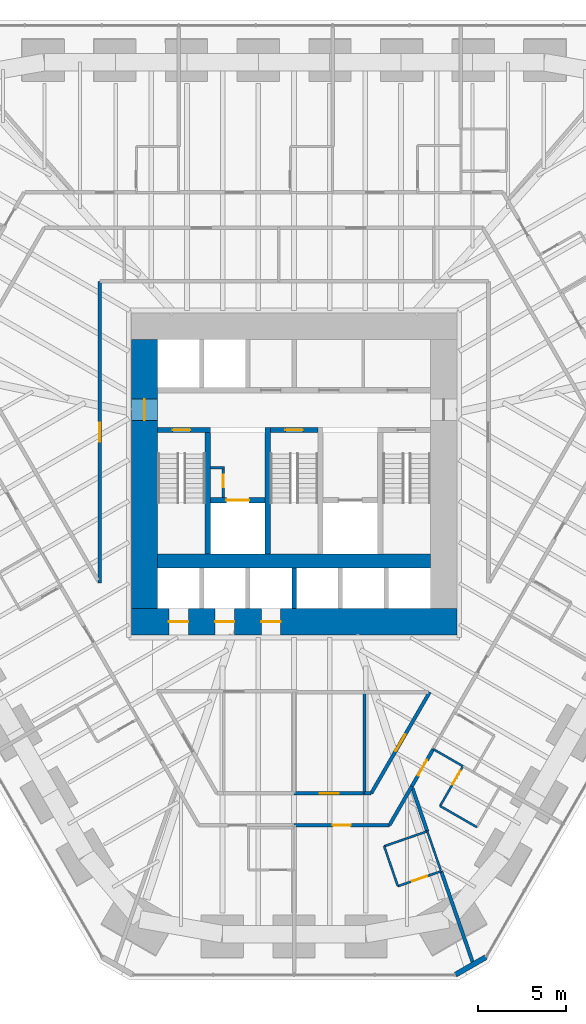
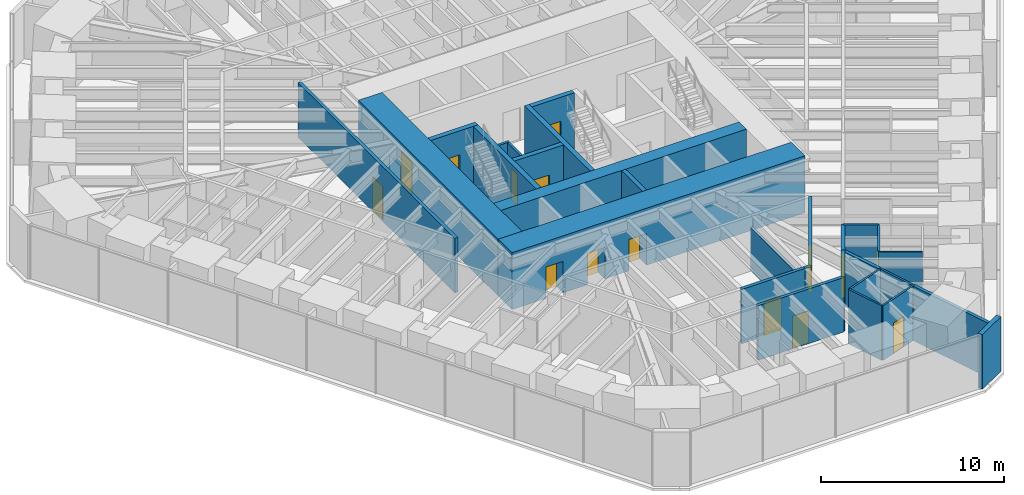
# One storey, part 12 of 17: 29 walls, 15 doors, 15 openings.
"""IFC4 building model written with IfcOpenShell, lengths in metres."""

import ifcopenshell
import ifcopenshell.guid

model = None  # the IFC model being written
_history = None  # IfcOwnerHistory: only IFC2X3 demands one
_inside = {}  # id of a spatial element -> (the spatial element, [elements in it])
_under = {}  # id of a project, library or spatial element -> (it, [spatial elements below it])
_declared = {}  # id of a project -> (the project, [libraries it declares])
_typed = {}  # id of a type object -> (the type object, [elements of that type])
_made_of = {}  # id of a material, layer set ... -> (it, [elements and type objects made of it])


def new_model(schema):
    """Start an empty IFC model of exactly this schema.

    Asked for "IFC4X3", IfcOpenShell would pick the latest addendum, in which some entities
    have other attributes; the version numbers below select the first issue.
    IFC2X3 requires an IfcOwnerHistory on every rooted entity: one is made here for all.
    """
    global model, _history
    if schema == "IFC4X3":
        model = ifcopenshell.file(schema_version=(4, 3, 0, 0))
    else:
        model = ifcopenshell.file(schema=schema)
    _inside.clear()
    _under.clear()
    _declared.clear()
    _typed.clear()
    _made_of.clear()
    _history = None
    if model.schema == "IFC2X3":
        org = make("IfcOrganization", Name="unknown")
        user = make(
            "IfcPersonAndOrganization",
            ThePerson=make("IfcPerson", FamilyName="unknown"),
            TheOrganization=org,
        )
        app = make(
            "IfcApplication",
            ApplicationDeveloper=org,
            Version="unknown",
            ApplicationFullName="unknown",
            ApplicationIdentifier="unknown",
        )
        _history = make(
            "IfcOwnerHistory",
            OwningUser=user,
            OwningApplication=app,
            ChangeAction="ADDED",
            CreationDate=0,
        )
    return model


def make(cls, **values):
    """One entity of the class cls with the attributes given. An attribute that is None is left unset."""
    return model.create_entity(
        cls, **{name: value for name, value in values.items() if value is not None}
    )


def rooted(cls, **values):
    """An entity with a GlobalId (a new one), such as an element, a storey or a relation."""
    return make(cls, GlobalId=ifcopenshell.guid.new(), OwnerHistory=_history, **values)


def si_unit(unit_type, name, prefix=None):
    """IfcSIUnit, for example si_unit("LENGTHUNIT", "METRE", prefix="MILLI")."""
    return make("IfcSIUnit", UnitType=unit_type, Prefix=prefix, Name=name)


def assignment(units):
    """IfcUnitAssignment: the units of a project."""
    return None if units is None else make("IfcUnitAssignment", Units=units)


def point(xyz):
    """IfcCartesianPoint."""
    return None if xyz is None else make("IfcCartesianPoint", Coordinates=xyz)


def direction(xyz):
    """IfcDirection."""
    return None if xyz is None else make("IfcDirection", DirectionRatios=xyz)


def frame(location, z_axis=None, x_axis=None):
    """IfcAxis2Placement3D, a coordinate frame: its origin and axes. An axis left out is left unset."""
    return make(
        "IfcAxis2Placement3D",
        Location=point(location),
        Axis=direction(z_axis),
        RefDirection=direction(x_axis),
    )


def frame_2d(location, x_axis=None):
    """IfcAxis2Placement2D, a coordinate frame in the plane: its origin and x axis."""
    return make(
        "IfcAxis2Placement2D", Location=point(location), RefDirection=direction(x_axis)
    )


def origin():
    """The frame at (0, 0, 0) with its axes left unset."""
    return frame((0.0, 0.0, 0.0))


def place(relative_to, where):
    """IfcLocalPlacement: puts the frame where relative to a parent placement (None: the world)."""
    return make(
        "IfcLocalPlacement", PlacementRelTo=relative_to, RelativePlacement=where
    )


def context(
    kind, dimensions, precision=None, world=None, true_north=None, identifier=None
):
    """IfcGeometricRepresentationContext, for example the 3D "Model" context."""
    return make(
        "IfcGeometricRepresentationContext",
        ContextIdentifier=identifier,
        ContextType=kind,
        CoordinateSpaceDimension=dimensions,
        Precision=precision,
        WorldCoordinateSystem=world,
        TrueNorth=true_north,
    )


def subcontext(parent, identifier, kind, view, scale=None):
    """IfcGeometricRepresentationSubContext, for example "Body" below "Model"."""
    return make(
        "IfcGeometricRepresentationSubContext",
        ContextIdentifier=identifier,
        ContextType=kind,
        ParentContext=parent,
        TargetScale=scale,
        TargetView=view,
    )


def project(units=None, contexts=None):
    """IfcProject with its units and contexts."""
    return rooted(
        "IfcProject",
        Name="project",
        RepresentationContexts=contexts,
        UnitsInContext=assignment(units),
    )


def spatial(cls, under=None, at=None, **own):
    """A site, building, storey or space (cls), placed at a placement, below another one or the project."""
    s = rooted(cls, ObjectPlacement=at, **own)
    if under is not None:
        _under.setdefault(under.id(), (under, []))[1].append(s)
    return s


def profile(cls, at=None, kind="AREA", **sizes):
    """A parametric profile (cls). Its sizes go by their IFC names, for example OverallWidth=200.0."""
    return make(cls, ProfileType=kind, Position=at, **sizes)


def rectangle(**sizes):
    """IfcRectangleProfileDef."""
    return profile("IfcRectangleProfileDef", **sizes)


def extrude(swept, where, along, depth):
    """IfcExtrudedAreaSolid: the profile swept, set in the frame where, extruded along a direction by depth."""
    return make(
        "IfcExtrudedAreaSolid",
        SweptArea=swept,
        Position=where,
        ExtrudedDirection=direction(along),
        Depth=depth,
    )


def shape(context_of_items, identifier, shape_type, items):
    """IfcShapeRepresentation: the items that make up one representation, for example the "Body"."""
    return make(
        "IfcShapeRepresentation",
        ContextOfItems=context_of_items,
        RepresentationIdentifier=identifier,
        RepresentationType=shape_type,
        Items=items,
    )


def material(Name=None, Category=None):
    """IfcMaterial."""
    return make("IfcMaterial", Name=Name, Category=Category)


def layer(
    of_material, thickness, ventilated=None, Name=None, Category=None, Priority=None
):
    """IfcMaterialLayer: one layer of a wall or slab, of a material (None: an air gap)."""
    return make(
        "IfcMaterialLayer",
        Material=of_material,
        LayerThickness=thickness,
        IsVentilated=ventilated,
        Name=Name,
        Category=Category,
        Priority=Priority,
    )


def layer_set(layers, Name=None):
    """IfcMaterialLayerSet."""
    return make("IfcMaterialLayerSet", MaterialLayers=layers, LayerSetName=Name)


def made_of(thing, what):
    """Note that an element or type object is made of a material, layer set ...; save() writes the relation."""
    if what is not None:
        _made_of.setdefault(what.id(), (what, []))[1].append(thing)
    return thing


def type_object(cls, material=None, **own):
    """A type object (cls), such as IfcWallType, which elements share."""
    return made_of(rooted(cls, **own), material)


def element(
    cls,
    number,
    at=None,
    inside=None,
    cuts=None,
    type_object=None,
    material=None,
    context=None,
    identifier="Body",
    shape_type=None,
    held_by="IfcProductDefinitionShape",
    body=None,
    shapes=None,
    **own,
):
    """One element of the class cls, such as IfcWall. Its Tag is "e" and its number.

    at: its placement. inside: the storey or other place that contains it. cuts: it is an
    opening in that element (IfcRelVoidsElement). A single representation is given by context,
    identifier, shape_type and body (its items); several are given by shapes. held_by: the class
    of the entity that holds the representations. save() writes the other relations.
    """
    e = rooted(cls, Tag="e%d" % number, ObjectPlacement=at, **own)
    if body is not None:
        shapes = [shape(context, identifier, shape_type, body)]
    if shapes is not None:
        e.Representation = make(held_by, Representations=shapes)
    if inside is not None:
        _inside.setdefault(inside.id(), (inside, []))[1].append(e)
    if cuts is not None:
        rooted(
            "IfcRelVoidsElement", RelatingBuildingElement=cuts, RelatedOpeningElement=e
        )
    if type_object is not None:
        _typed.setdefault(type_object.id(), (type_object, []))[1].append(e)
    return made_of(e, material)


def fill(opening, filler):
    """IfcRelFillsElement: the door or window that sits in an opening."""
    return rooted(
        "IfcRelFillsElement",
        RelatingOpeningElement=opening,
        RelatedBuildingElement=filler,
    )


def aggregate(whole, parts):
    """IfcRelAggregates: a whole, such as a stair, and the parts it consists of."""
    return rooted("IfcRelAggregates", RelatingObject=whole, RelatedObjects=parts)


def save(model, path):
    """Write the relations noted so far, then the file.

    IfcRelAggregates (storeys below a building ...), IfcRelContainedInSpatialStructure (elements
    in a storey), IfcRelDefinesByType, IfcRelAssociatesMaterial and IfcRelDeclares: one each for
    every whole, place, type object, material and project.
    """
    for whole, parts in _under.values():
        aggregate(whole, parts)
    for where, things in _inside.values():
        rooted(
            "IfcRelContainedInSpatialStructure",
            RelatedElements=things,
            RelatingStructure=where,
        )
    for kind, things in _typed.values():
        rooted("IfcRelDefinesByType", RelatedObjects=things, RelatingType=kind)
    for what, things in _made_of.values():
        rooted("IfcRelAssociatesMaterial", RelatedObjects=things, RelatingMaterial=what)
    for by, libraries in _declared.values():
        rooted("IfcRelDeclares", RelatingContext=by, RelatedDefinitions=libraries)
    model.write(path)


model = new_model("IFC4")

# Units and contexts
model_context = context("Model", 3, precision=1e-05, world=origin(), true_north=direction((0.0, 1.0)))
body_context = subcontext(model_context, "Body", "Model", "MODEL_VIEW")
ifc_project = project(units=[si_unit("LENGTHUNIT", "METRE"), si_unit("AREAUNIT", "SQUARE_METRE"), si_unit("VOLUMEUNIT", "CUBIC_METRE"), si_unit("PLANEANGLEUNIT", "RADIAN"), si_unit("MASSUNIT", "GRAM", prefix="KILO")], contexts=[model_context])

# Site, building, storey
site_placement = place(None, origin())
site = spatial("IfcSite", under=ifc_project, at=site_placement, CompositionType="ELEMENT")
building_placement = place(site_placement, origin())
building = spatial("IfcBuilding", under=site, at=building_placement, Name="Sandreach Pilgrim Tower", CompositionType="ELEMENT")
storey_placement = place(building_placement, frame((0.0, 0.0, 76.199951171875)))
storey = spatial("IfcBuildingStorey", under=building, at=storey_placement, Name="L18", CompositionType="ELEMENT", Elevation=76.199951171875)

# Walls
ifc_material_1 = material(Name="Gypsum board on steel studs", Category="steel")
ifc_layer_1 = layer(ifc_material_1, 0.14990234375)
ifc_layer_set_1 = layer_set([ifc_layer_1], Name="Back of house wall 150")
wall_type_1 = type_object("IfcWallType", Name="Back of house wall 150", PredefinedType="PARTITIONING", material=ifc_layer_set_1)
wall_1_placement = place(storey_placement, frame((4.0, -13.949951171875, 0.0), z_axis=(0.0, 0.0, 1.0), x_axis=(0.0, -1.0, 0.0)))
element("IfcWall", 1, at=wall_1_placement, inside=storey, type_object=wall_type_1, Name="Back of house wall L18-082", PredefinedType="PARTITIONING", context=body_context, shape_type="SweptSolid", body=[
    extrude(rectangle(XDim=5.760009765625, YDim=0.14990234375, at=frame_2d((2.8798828125, 0.0))), origin(), (0.0, 0.0, 1.0), 2.8779296875),
])
ifc_material_2 = material(Name="Moisture-resistant gypsum board on steel studs", Category="steel")
ifc_layer_2 = layer(ifc_material_2, 0.1201171875)
ifc_layer_set_2 = layer_set([ifc_layer_2], Name="Bathroom partition 120")
wall_type_2 = type_object("IfcWallType", Name="Bathroom partition 120", PredefinedType="PARTITIONING", material=ifc_layer_set_2)
wall_2_placement = place(storey_placement, frame((5.1201171875, -22.7099609375, 0.0), z_axis=(0.0, 0.0, 1.0), x_axis=(0.324880771143, -0.945754981241, 0.0)))
element("IfcWall", 2, at=wall_2_placement, inside=storey, type_object=wall_type_2, Name="Bathroom partition L18-085", PredefinedType="PARTITIONING", context=body_context, shape_type="SweptSolid", body=[
    extrude(rectangle(XDim=2.400146484375, YDim=0.1201171875, at=frame_2d((1.2001953125, 0.0))), origin(), (0.0, 0.0, 1.0), 3.64013671875),
])

# Wall, opening, door
wall_3_placement = place(storey_placement, frame((5.89990234375, -24.97998046875, 0.0), z_axis=(0.0, 0.0, 1.0), x_axis=(0.945165466094, 0.326591857987, 0.0)))
wall_3 = element("IfcWall", 3, at=wall_3_placement, inside=storey, type_object=wall_type_2, Name="Bathroom partition L18-087", PredefinedType="PARTITIONING", context=body_context, shape_type="SweptSolid", body=[
    extrude(rectangle(XDim=2.60302734375, YDim=0.1201171875, at=frame_2d((1.301513671875, 0.0))), origin(), (0.0, 0.0, 1.0), 3.64013671875),
])
opening_1_placement = place(wall_3_placement, frame((0.85009765625, 0.0, 0.0)))
opening_1 = element("IfcOpeningElement", 4, at=opening_1_placement, cuts=wall_3, Name="Opening D09-11B", PredefinedType="OPENING", context=body_context, shape_type="SweptSolid", body=[
    extrude(rectangle(XDim=0.89990234375, YDim=2.030029296875, at=frame_2d((0.449951171875, 1.01513671875))), frame((0.0, 0.06005859375, 0.0), z_axis=(0.0, -1.0, 0.0), x_axis=(1.0, 0.0, 0.0)), (0.0, 0.0, 1.0), 0.1201171875),
])
ifc_material_3 = material(Name="Timber door, steel frame", Category="steel")
door_type_1 = type_object("IfcDoorType", Name="Bathroom door", OperationType="SINGLE_SWING_LEFT", PredefinedType="DOOR", material=ifc_material_3)
door_1_placement = place(opening_1_placement, origin())
door_1 = element("IfcDoor", 5, at=door_1_placement, inside=storey, type_object=door_type_1, Name="Door 1811B", OperationType="SINGLE_SWING_LEFT", OverallHeight=2.030029296875, OverallWidth=0.89990234375, PredefinedType="DOOR", context=body_context, shape_type="SweptSolid", body=[
    extrude(rectangle(XDim=0.89990234375, YDim=2.030029296875, at=frame_2d((0.449951171875, 1.01513671875))), frame((0.0, 0.02490234375, 0.0), z_axis=(0.0, -1.0, 0.0), x_axis=(1.0, 0.0, 0.0)), (0.0, 0.0, 1.0), 0.050048828125),
])
fill(opening_1, door_1)

# Walls
wall_4_placement = place(storey_placement, frame((7.570068359375, -21.860107421875, 0.0), z_axis=(0.0, 0.0, 1.0), x_axis=(-0.944782191137, -0.327698964463, 0.0)))
element("IfcWall", 6, at=wall_4_placement, inside=storey, type_object=wall_type_2, Name="Bathroom partition L18-092", PredefinedType="PARTITIONING", context=body_context, shape_type="SweptSolid", body=[
    extrude(rectangle(XDim=2.593505859375, YDim=0.1201171875, at=frame_2d((1.296875, 0.0))), origin(), (0.0, 0.0, 1.0), 3.64013671875),
])
wall_5_placement = place(storey_placement, frame((7.570068359375, -21.860107421875, 0.0), z_axis=(0.0, 0.0, 1.0), x_axis=(0.327706459026, -0.944779591605, 0.0)))
element("IfcWall", 7, at=wall_5_placement, inside=storey, type_object=wall_type_2, Name="Bathroom partition L18-093", PredefinedType="PARTITIONING", context=body_context, shape_type="SweptSolid", body=[
    extrude(rectangle(XDim=2.349609375, YDim=0.1201171875, at=frame_2d((1.1748046875, 0.0))), origin(), (0.0, 0.0, 1.0), 3.64013671875),
])
wall_6_placement = place(storey_placement, frame((7.909912109375, -17.18994140625, 0.0), z_axis=(0.0, 0.0, 1.0), x_axis=(0.8673242112, -0.497743621421, 0.0)))
element("IfcWall", 8, at=wall_6_placement, inside=storey, type_object=wall_type_2, Name="Bathroom partition L18-096", PredefinedType="PARTITIONING", context=body_context, shape_type="SweptSolid", body=[
    extrude(rectangle(XDim=1.94873046875, YDim=0.1201171875, at=frame_2d((0.974365234375, 0.0))), origin(), (0.0, 0.0, 1.0), 3.64013671875),
])
wall_7_placement = place(storey_placement, frame((8.300048828125, -20.419921875, 0.0), z_axis=(0.0, 0.0, 1.0), x_axis=(0.866177122335, -0.499737123639, 0.0)))
element("IfcWall", 9, at=wall_7_placement, inside=storey, type_object=wall_type_2, Name="Bathroom partition L18-100", PredefinedType="PARTITIONING", context=body_context, shape_type="SweptSolid", body=[
    extrude(rectangle(XDim=2.401123046875, YDim=0.1201171875, at=frame_2d((1.20068359375, 0.0))), origin(), (0.0, 0.0, 1.0), 3.64013671875),
])

# Wall, opening, door
wall_8_placement = place(storey_placement, frame((9.60009765625, -18.159912109375, 0.0), z_axis=(0.0, 0.0, 1.0), x_axis=(-0.498627694264, -0.866816256489, 0.0)))
wall_8 = element("IfcWall", 10, at=wall_8_placement, inside=storey, type_object=wall_type_2, Name="Bathroom partition L18-110", PredefinedType="PARTITIONING", context=body_context, shape_type="SweptSolid", body=[
    extrude(rectangle(XDim=2.607177734375, YDim=0.1201171875, at=frame_2d((1.3037109375, 0.0))), origin(), (0.0, 0.0, 1.0), 3.64013671875),
])
opening_2_placement = place(wall_8_placement, frame((0.300048828125, 0.0, 0.0)))
opening_2 = element("IfcOpeningElement", 11, at=opening_2_placement, cuts=wall_8, Name="Opening D09-10B", PredefinedType="OPENING", context=body_context, shape_type="SweptSolid", body=[
    extrude(rectangle(XDim=0.89990234375, YDim=2.030029296875, at=frame_2d((0.449951171875, 1.01513671875))), frame((0.0, 0.06005859375, 0.0), z_axis=(0.0, -1.0, 0.0), x_axis=(1.0, 0.0, 0.0)), (0.0, 0.0, 1.0), 0.1201171875),
])
door_2_placement = place(opening_2_placement, origin())
door_2 = element("IfcDoor", 12, at=door_2_placement, inside=storey, type_object=door_type_1, Name="Door 1810B", OperationType="SINGLE_SWING_LEFT", OverallHeight=2.030029296875, OverallWidth=0.89990234375, PredefinedType="DOOR", context=body_context, shape_type="SweptSolid", body=[
    extrude(rectangle(XDim=0.89990234375, YDim=2.030029296875, at=frame_2d((0.449951171875, 1.01513671875))), frame((0.0, 0.02490234375, 0.0), z_axis=(0.0, -1.0, 0.0), x_axis=(1.0, 0.0, 0.0)), (0.0, 0.0, 1.0), 0.050048828125),
])
fill(opening_2, door_2)

# Walls
ifc_material_4 = material(Name="Concrete 10000 psi", Category="concrete")
ifc_layer_3 = layer(ifc_material_4, 0.300048828125)
ifc_layer_set_3 = layer_set([ifc_layer_3], Name="Core inner wall 300")
wall_type_3 = type_object("IfcWallType", Name="Core inner wall 300", PredefinedType="SHEAR", material=ifc_layer_set_3)
for number, where, z_axis, x_axis, name in (
    (13, (-4.89990234375, -6.10009765625, 0.0), (0.0, 0.0, 1.0), (0.0, 1.0, 0.0), "Core wall I0 L18"),
    (14, (-1.5, -6.10009765625, 0.0), (0.0, 0.0, 1.0), (0.0, 1.0, 0.0), "Core wall I1 L18"),
):
    element("IfcWall", number, at=place(storey_placement, frame(where, z_axis=z_axis, x_axis=x_axis)), inside=storey, type_object=wall_type_3, Name=name, PredefinedType="SHEAR", context=body_context, shape_type="SweptSolid", body=[
        extrude(rectangle(XDim=7.2001953125, YDim=0.300048828125, at=frame_2d((3.60009765625, 0.0))), origin(), (0.0, 0.0, 1.0), 3.800048828125),
    ])

# Wall, opening, door
wall_9_placement = place(storey_placement, frame((-7.75, 0.949951171875, 0.0), z_axis=(0.0, 0.0, 1.0), x_axis=(1.0, 0.0, 0.0)))
wall_9 = element("IfcWall", 15, at=wall_9_placement, inside=storey, type_object=wall_type_3, Name="Core wall SN1 L18", PredefinedType="SHEAR", context=body_context, shape_type="SweptSolid", body=[
    extrude(rectangle(XDim=3.0, YDim=0.300048828125, at=frame_2d((1.5, 0.0))), origin(), (0.0, 0.0, 1.0), 3.800048828125),
])
opening_3_placement = place(wall_9_placement, frame((0.85009765625, 0.0, 0.0)))
opening_3 = element("IfcOpeningElement", 16, at=opening_3_placement, cuts=wall_9, Name="Opening D10S-ST1", PredefinedType="OPENING", context=body_context, shape_type="SweptSolid", body=[
    extrude(rectangle(XDim=1.0, YDim=2.199951171875, at=frame_2d((0.5, 1.10009765625))), frame((0.0, 0.14990234375, 0.0), z_axis=(0.0, -1.0, 0.0), x_axis=(1.0, 0.0, 0.0)), (0.0, 0.0, 1.0), 0.300048828125),
])
ifc_material_5 = material(Name="Steel door and frame", Category="steel")
door_type_2 = type_object("IfcDoorType", Name="Stair door", OperationType="SINGLE_SWING_LEFT", PredefinedType="DOOR", material=ifc_material_5)
door_3_placement = place(opening_3_placement, origin())
door_3 = element("IfcDoor", 17, at=door_3_placement, inside=storey, type_object=door_type_2, Name="Stair door ST1 L18", OperationType="SINGLE_SWING_LEFT", OverallHeight=2.199951171875, OverallWidth=1.0, PredefinedType="DOOR", context=body_context, shape_type="SweptSolid", body=[
    extrude(rectangle(XDim=1.0, YDim=2.199951171875, at=frame_2d((0.5, 1.10009765625))), frame((0.0, 0.02490234375, 0.0), z_axis=(0.0, -1.0, 0.0), x_axis=(1.0, 0.0, 0.0)), (0.0, 0.0, 1.0), 0.050048828125),
])
fill(opening_3, door_3)

wall_10_placement = place(storey_placement, frame((-1.35009765625, 0.949951171875, 0.0), z_axis=(0.0, 0.0, 1.0), x_axis=(1.0, 0.0, 0.0)))
wall_10 = element("IfcWall", 18, at=wall_10_placement, inside=storey, type_object=wall_type_3, Name="Core wall SN3 L18", PredefinedType="SHEAR", context=body_context, shape_type="SweptSolid", body=[
    extrude(rectangle(XDim=2.7001953125, YDim=0.300048828125, at=frame_2d((1.35009765625, 0.0))), origin(), (0.0, 0.0, 1.0), 3.800048828125),
])
opening_4_placement = place(wall_10_placement, frame((0.85009765625, 0.0, 0.0)))
opening_4 = element("IfcOpeningElement", 19, at=opening_4_placement, cuts=wall_10, Name="Opening D10S-ST3", PredefinedType="OPENING", context=body_context, shape_type="SweptSolid", body=[
    extrude(rectangle(XDim=1.0, YDim=2.199951171875, at=frame_2d((0.5, 1.10009765625))), frame((0.0, 0.14990234375, 0.0), z_axis=(0.0, -1.0, 0.0), x_axis=(1.0, 0.0, 0.0)), (0.0, 0.0, 1.0), 0.300048828125),
])
door_4_placement = place(opening_4_placement, origin())
door_4 = element("IfcDoor", 20, at=door_4_placement, inside=storey, type_object=door_type_2, Name="Stair door ST3 L18", OperationType="SINGLE_SWING_LEFT", OverallHeight=2.199951171875, OverallWidth=1.0, PredefinedType="DOOR", context=body_context, shape_type="SweptSolid", body=[
    extrude(rectangle(XDim=1.0, YDim=2.199951171875, at=frame_2d((0.5, 1.10009765625))), frame((0.0, 0.02490234375, 0.0), z_axis=(0.0, -1.0, 0.0), x_axis=(1.0, 0.0, 0.0)), (0.0, 0.0, 1.0), 0.050048828125),
])
fill(opening_4, door_4)

wall_11_placement = place(storey_placement, frame((-4.75, -3.050048828125, 0.0), z_axis=(0.0, 0.0, 1.0), x_axis=(1.0, 0.0, 0.0)))
wall_11 = element("IfcWall", 21, at=wall_11_placement, inside=storey, type_object=wall_type_3, Name="Core wall FL1 L18", PredefinedType="SHEAR", context=body_context, shape_type="SweptSolid", body=[
    extrude(rectangle(XDim=3.10009765625, YDim=0.300048828125, at=frame_2d((1.550048828125, 0.0))), origin(), (0.0, 0.0, 1.0), 3.800048828125),
])
opening_5_placement = place(wall_11_placement, frame((0.89990234375, 0.0, 0.0)))
opening_5 = element("IfcOpeningElement", 22, at=opening_5_placement, cuts=wall_11, Name="Opening LD13", PredefinedType="OPENING", context=body_context, shape_type="SweptSolid", body=[
    extrude(rectangle(XDim=1.300048828125, YDim=2.10009765625, at=frame_2d((0.64990234375, 1.050048828125))), frame((0.0, 0.14990234375, 0.0), z_axis=(0.0, -1.0, 0.0), x_axis=(1.0, 0.0, 0.0)), (0.0, 0.0, 1.0), 0.300048828125),
])
ifc_material_6 = material(Name="Steel door and frame", Category="steel")
door_type_3 = type_object("IfcDoorType", Name="Fire service lift landing door", OperationType="DOUBLE_DOOR_SLIDING", PredefinedType="DOOR", material=ifc_material_6)
door_5_placement = place(opening_5_placement, origin())
door_5 = element("IfcDoor", 23, at=door_5_placement, inside=storey, type_object=door_type_3, Name="Lift landing door FS1 L18", OperationType="DOUBLE_DOOR_SLIDING", OverallHeight=2.10009765625, OverallWidth=1.300048828125, PredefinedType="DOOR", context=body_context, shape_type="SweptSolid", body=[
    extrude(rectangle(XDim=1.300048828125, YDim=2.10009765625, at=frame_2d((0.64990234375, 1.050048828125))), frame((0.0, 0.02490234375, 0.0), z_axis=(0.0, -1.0, 0.0), x_axis=(1.0, 0.0, 0.0)), (0.0, 0.0, 1.0), 0.050048828125),
])
fill(opening_5, door_5)

# Wall
ifc_material_7 = material(Name="Concrete 10000 psi", Category="concrete")
ifc_layer_4 = layer(ifc_material_7, 0.800048828125)
ifc_layer_set_4 = layer_set([ifc_layer_4], Name="Core mid wall 800")
wall_type_4 = type_object("IfcWallType", Name="Core mid wall 800", PredefinedType="SHEAR", material=ifc_layer_set_4)
wall_12_placement = place(storey_placement, frame((-7.75, -6.5, 0.0), z_axis=(0.0, 0.0, 1.0), x_axis=(1.0, 0.0, 0.0)))
element("IfcWall", 24, at=wall_12_placement, inside=storey, type_object=wall_type_4, Name="Core wall M L18", PredefinedType="SHEAR", context=body_context, shape_type="SweptSolid", body=[
    extrude(rectangle(XDim=15.5, YDim=0.800048828125, at=frame_2d((7.75, 0.0))), origin(), (0.0, 0.0, 1.0), 3.800048828125),
])

# Wall, openings, doors
ifc_material_8 = material(Name="Concrete 10000 psi", Category="concrete")
ifc_layer_5 = layer(ifc_material_8, 1.5)
ifc_layer_set_5 = layer_set([ifc_layer_5], Name="Core wall 1500")
wall_type_5 = type_object("IfcWallType", Name="Core wall 1500", PredefinedType="SHEAR", material=ifc_layer_set_5)
wall_13_placement = place(storey_placement, frame((-9.25, -9.949951171875, 0.0), z_axis=(0.0, 0.0, 1.0), x_axis=(1.0, 0.0, 0.0)))
wall_13 = element("IfcWall", 25, at=wall_13_placement, inside=storey, type_object=wall_type_5, Name="Core wall S L18", PredefinedType="SHEAR", context=body_context, shape_type="SweptSolid", body=[
    extrude(rectangle(XDim=18.5, YDim=1.5, at=frame_2d((9.25, 0.0))), origin(), (0.0, 0.0, 1.0), 3.800048828125),
])
opening_6_placement = place(wall_13_placement, frame((2.137451171875, 0.0, 0.0)))
opening_6 = element("IfcOpeningElement", 26, at=opening_6_placement, cuts=wall_13, Name="Opening LD11", PredefinedType="OPENING", context=body_context, shape_type="SweptSolid", body=[
    extrude(rectangle(XDim=1.10009765625, YDim=2.10009765625, at=frame_2d((0.550048828125, 1.050048828125))), frame((0.0, 0.75, 0.0), z_axis=(0.0, -1.0, 0.0), x_axis=(1.0, 0.0, 0.0)), (0.0, 0.0, 1.0), 1.5),
])
opening_7_placement = place(wall_13_placement, frame((4.762451171875, 0.0, 0.0)))
opening_7 = element("IfcOpeningElement", 27, at=opening_7_placement, cuts=wall_13, Name="Opening LD11", PredefinedType="OPENING", context=body_context, shape_type="SweptSolid", body=[
    extrude(rectangle(XDim=1.10009765625, YDim=2.10009765625, at=frame_2d((0.550048828125, 1.050048828125))), frame((0.0, 0.75, 0.0), z_axis=(0.0, -1.0, 0.0), x_axis=(1.0, 0.0, 0.0)), (0.0, 0.0, 1.0), 1.5),
])
opening_8_placement = place(wall_13_placement, frame((7.387451171875, 0.0, 0.0)))
opening_8 = element("IfcOpeningElement", 28, at=opening_8_placement, cuts=wall_13, Name="Opening LD11", PredefinedType="OPENING", context=body_context, shape_type="SweptSolid", body=[
    extrude(rectangle(XDim=1.10009765625, YDim=2.10009765625, at=frame_2d((0.550048828125, 1.050048828125))), frame((0.0, 0.75, 0.0), z_axis=(0.0, -1.0, 0.0), x_axis=(1.0, 0.0, 0.0)), (0.0, 0.0, 1.0), 1.5),
])
ifc_material_9 = material(Name="Steel door and frame", Category="steel")
door_type_4 = type_object("IfcDoorType", Name="Lift landing door", OperationType="DOUBLE_DOOR_SLIDING", PredefinedType="DOOR", material=ifc_material_9)
door_6_placement = place(opening_6_placement, origin())
door_6 = element("IfcDoor", 29, at=door_6_placement, inside=storey, type_object=door_type_4, Name="Lift landing door Z1A L18", OperationType="DOUBLE_DOOR_SLIDING", OverallHeight=2.10009765625, OverallWidth=1.10009765625, PredefinedType="DOOR", context=body_context, shape_type="SweptSolid", body=[
    extrude(rectangle(XDim=1.10009765625, YDim=2.10009765625, at=frame_2d((0.550048828125, 1.050048828125))), frame((0.0, 0.02490234375, 0.0), z_axis=(0.0, -1.0, 0.0), x_axis=(1.0, 0.0, 0.0)), (0.0, 0.0, 1.0), 0.050048828125),
])
fill(opening_6, door_6)
door_7_placement = place(opening_7_placement, origin())
door_7 = element("IfcDoor", 30, at=door_7_placement, inside=storey, type_object=door_type_4, Name="Lift landing door Z1B L18", OperationType="DOUBLE_DOOR_SLIDING", OverallHeight=2.10009765625, OverallWidth=1.10009765625, PredefinedType="DOOR", context=body_context, shape_type="SweptSolid", body=[
    extrude(rectangle(XDim=1.10009765625, YDim=2.10009765625, at=frame_2d((0.550048828125, 1.050048828125))), frame((0.0, 0.02490234375, 0.0), z_axis=(0.0, -1.0, 0.0), x_axis=(1.0, 0.0, 0.0)), (0.0, 0.0, 1.0), 0.050048828125),
])
fill(opening_7, door_7)
door_8_placement = place(opening_8_placement, origin())
door_8 = element("IfcDoor", 31, at=door_8_placement, inside=storey, type_object=door_type_4, Name="Lift landing door Z1C L18", OperationType="DOUBLE_DOOR_SLIDING", OverallHeight=2.10009765625, OverallWidth=1.10009765625, PredefinedType="DOOR", context=body_context, shape_type="SweptSolid", body=[
    extrude(rectangle(XDim=1.10009765625, YDim=2.10009765625, at=frame_2d((0.550048828125, 1.050048828125))), frame((0.0, 0.02490234375, 0.0), z_axis=(0.0, -1.0, 0.0), x_axis=(1.0, 0.0, 0.0)), (0.0, 0.0, 1.0), 0.050048828125),
])
fill(opening_8, door_8)

# Wall, opening, door
wall_14_placement = place(storey_placement, frame((-8.5, -9.199951171875, 0.0), z_axis=(0.0, 0.0, 1.0), x_axis=(0.0, 1.0, 0.0)))
wall_14 = element("IfcWall", 32, at=wall_14_placement, inside=storey, type_object=wall_type_5, Name="Core wall W L18", PredefinedType="SHEAR", context=body_context, shape_type="SweptSolid", body=[
    extrude(rectangle(XDim=15.300048828125, YDim=1.5, at=frame_2d((7.64990234375, 0.0))), origin(), (0.0, 0.0, 1.0), 3.800048828125),
])
opening_9_placement = place(wall_14_placement, frame((10.699951171875, 0.0, 0.0)))
opening_9 = element("IfcOpeningElement", 33, at=opening_9_placement, cuts=wall_14, Name="Opening D12F-W", PredefinedType="OPENING", context=body_context, shape_type="SweptSolid", body=[
    extrude(rectangle(XDim=1.199951171875, YDim=2.199951171875, at=frame_2d((0.60009765625, 1.10009765625))), frame((0.0, 0.75, 0.0), z_axis=(0.0, -1.0, 0.0), x_axis=(1.0, 0.0, 0.0)), (0.0, 0.0, 1.0), 1.5),
])
ifc_material_10 = material(Name="Steel door and frame", Category="steel")
door_type_5 = type_object("IfcDoorType", Name="Fire lobby door", OperationType="SINGLE_SWING_LEFT", PredefinedType="DOOR", material=ifc_material_10)
door_9_placement = place(opening_9_placement, origin())
door_9 = element("IfcDoor", 34, at=door_9_placement, inside=storey, type_object=door_type_5, Name="Fire service lobby door W L18", OperationType="SINGLE_SWING_RIGHT", OverallHeight=2.199951171875, OverallWidth=1.199951171875, PredefinedType="DOOR", context=body_context, shape_type="SweptSolid", body=[
    extrude(rectangle(XDim=1.199951171875, YDim=2.199951171875, at=frame_2d((0.60009765625, 1.10009765625))), frame((0.0, 0.02490234375, 0.0), z_axis=(0.0, -1.0, 0.0), x_axis=(1.0, 0.0, 0.0)), (0.0, 0.0, 1.0), 0.050048828125),
])
fill(opening_9, door_9)

ifc_material_11 = material(Name="Gypsum board on steel studs, two layers each side", Category="steel")
ifc_layer_6 = layer(ifc_material_11, 0.199951171875)
ifc_layer_set_6 = layer_set([ifc_layer_6], Name="Corridor wall 200")
wall_type_6 = type_object("IfcWallType", Name="Corridor wall 200", PredefinedType="PARTITIONING", material=ifc_layer_set_6)
wall_15_placement = place(storey_placement, frame((-11.050048828125, 9.39990234375, 0.0), z_axis=(0.0, 0.0, 1.0), x_axis=(0.0, -1.0, 0.0)))
wall_15 = element("IfcWall", 35, at=wall_15_placement, inside=storey, type_object=wall_type_6, Name="Corridor wall L18-043", PredefinedType="PARTITIONING", context=body_context, shape_type="SweptSolid", body=[
    extrude(rectangle(XDim=17.159912109375, YDim=0.199951171875, at=frame_2d((8.580078125, 0.0))), origin(), (0.0, 0.0, 1.0), 3.64013671875),
])
opening_10_placement = place(wall_15_placement, frame((8.030029296875, 0.0, 0.0)))
opening_10 = element("IfcOpeningElement", 36, at=opening_10_placement, cuts=wall_15, Name="Opening D11H-M01", PredefinedType="OPENING", context=body_context, shape_type="SweptSolid", body=[
    extrude(rectangle(XDim=1.10009765625, YDim=2.199951171875, at=frame_2d((0.550048828125, 1.10009765625))), frame((0.0, 0.10009765625, 0.0), z_axis=(0.0, -1.0, 0.0), x_axis=(1.0, 0.0, 0.0)), (0.0, 0.0, 1.0), 0.199951171875),
])
ifc_material_12 = material(Name="Steel door and frame", Category="steel")
door_type_6 = type_object("IfcDoorType", Name="Back of house door", OperationType="SINGLE_SWING_LEFT", PredefinedType="DOOR", material=ifc_material_12)
door_10_placement = place(opening_10_placement, origin())
door_10 = element("IfcDoor", 37, at=door_10_placement, inside=storey, type_object=door_type_6, Name="Door 18M01", OperationType="SINGLE_SWING_LEFT", OverallHeight=2.199951171875, OverallWidth=1.10009765625, PredefinedType="DOOR", context=body_context, shape_type="SweptSolid", body=[
    extrude(rectangle(XDim=1.10009765625, YDim=2.199951171875, at=frame_2d((0.550048828125, 1.10009765625))), frame((0.0, 0.02490234375, 0.0), z_axis=(0.0, -1.0, 0.0), x_axis=(1.0, 0.0, 0.0)), (0.0, 0.0, 1.0), 0.050048828125),
])
fill(opening_10, door_10)

wall_16_placement = place(storey_placement, frame((0.0, -21.510009765625, 0.0), z_axis=(0.0, 0.0, 1.0), x_axis=(1.0, 0.0, 0.0)))
wall_16 = element("IfcWall", 38, at=wall_16_placement, inside=storey, type_object=wall_type_6, Name="Corridor wall L18-072", PredefinedType="PARTITIONING", context=body_context, shape_type="SweptSolid", body=[
    extrude(rectangle(XDim=5.419921875, YDim=0.199951171875, at=frame_2d((2.7099609375, 0.0))), origin(), (0.0, 0.0, 1.0), 3.64013671875),
])
opening_11_placement = place(wall_16_placement, frame((2.2099609375, 0.0, 0.0)))
opening_11 = element("IfcOpeningElement", 39, at=opening_11_placement, cuts=wall_16, Name="Opening D10-11", PredefinedType="OPENING", context=body_context, shape_type="SweptSolid", body=[
    extrude(rectangle(XDim=1.0, YDim=2.1298828125, at=frame_2d((0.5, 1.06494140625))), frame((0.0, 0.10009765625, 0.0), z_axis=(0.0, -1.0, 0.0), x_axis=(1.0, 0.0, 0.0)), (0.0, 0.0, 1.0), 0.199951171875),
])
ifc_material_13 = material(Name="Steel door and frame", Category="steel")
door_type_7 = type_object("IfcDoorType", Name="Guest room entry door", OperationType="SINGLE_SWING_LEFT", PredefinedType="DOOR", material=ifc_material_13)
door_11_placement = place(opening_11_placement, origin())
door_11 = element("IfcDoor", 40, at=door_11_placement, inside=storey, type_object=door_type_7, Name="Door 1811", OperationType="SINGLE_SWING_LEFT", OverallHeight=2.1298828125, OverallWidth=1.0, PredefinedType="DOOR", context=body_context, shape_type="SweptSolid", body=[
    extrude(rectangle(XDim=1.0, YDim=2.1298828125, at=frame_2d((0.5, 1.06494140625))), frame((0.0, 0.02490234375, 0.0), z_axis=(0.0, -1.0, 0.0), x_axis=(1.0, 0.0, 0.0)), (0.0, 0.0, 1.0), 0.050048828125),
])
fill(opening_11, door_11)

wall_17_placement = place(storey_placement, frame((4.0, -19.7099609375, 0.0), z_axis=(0.0, 0.0, 1.0), x_axis=(-1.0, 0.0, 0.0)))
wall_17 = element("IfcWall", 41, at=wall_17_placement, inside=storey, type_object=wall_type_6, Name="Corridor wall L18-081", PredefinedType="PARTITIONING", context=body_context, shape_type="SweptSolid", body=[
    extrude(rectangle(XDim=4.0, YDim=0.199951171875, at=frame_2d((2.0, 0.0))), origin(), (0.0, 0.0, 1.0), 3.64013671875),
])
opening_12_placement = place(wall_17_placement, frame((1.449951171875, 0.0, 0.0)))
opening_12 = element("IfcOpeningElement", 42, at=opening_12_placement, cuts=wall_17, Name="Opening D11H-S3", PredefinedType="OPENING", context=body_context, shape_type="SweptSolid", body=[
    extrude(rectangle(XDim=1.10009765625, YDim=2.199951171875, at=frame_2d((0.550048828125, 1.10009765625))), frame((0.0, 0.10009765625, 0.0), z_axis=(0.0, -1.0, 0.0), x_axis=(1.0, 0.0, 0.0)), (0.0, 0.0, 1.0), 0.199951171875),
])
door_12_placement = place(opening_12_placement, origin())
door_12 = element("IfcDoor", 43, at=door_12_placement, inside=storey, type_object=door_type_6, Name="Door 18S3", OperationType="SINGLE_SWING_LEFT", OverallHeight=2.199951171875, OverallWidth=1.10009765625, PredefinedType="DOOR", context=body_context, shape_type="SweptSolid", body=[
    extrude(rectangle(XDim=1.10009765625, YDim=2.199951171875, at=frame_2d((0.550048828125, 1.10009765625))), frame((0.0, 0.02490234375, 0.0), z_axis=(0.0, -1.0, 0.0), x_axis=(1.0, 0.0, 0.0)), (0.0, 0.0, 1.0), 0.050048828125),
])
fill(opening_12, door_12)

# Walls
wall_18_placement = place(storey_placement, frame((4.3798828125, -19.7099609375, 0.0), z_axis=(0.0, 0.0, 1.0), x_axis=(-1.0, 0.0, 0.0)))
element("IfcWall", 44, at=wall_18_placement, inside=storey, type_object=wall_type_6, Name="Corridor wall L18-084", PredefinedType="PARTITIONING", context=body_context, shape_type="SweptSolid", body=[
    extrude(rectangle(XDim=0.3798828125, YDim=0.199951171875, at=frame_2d((0.18994140625, 0.0))), origin(), (0.0, 0.0, 1.0), 3.64013671875),
])
wall_19_placement = place(storey_placement, frame((5.419921875, -21.510009765625, 0.0), z_axis=(0.0, 0.0, 1.0), x_axis=(0.499963722229, 0.866046347752, 0.0)))
element("IfcWall", 45, at=wall_19_placement, inside=storey, type_object=wall_type_6, Name="Corridor wall L18-086", PredefinedType="PARTITIONING", context=body_context, shape_type="SweptSolid", body=[
    extrude(rectangle(XDim=2.540283203125, YDim=0.199951171875, at=frame_2d((1.27001953125, 0.0))), origin(), (0.0, 0.0, 1.0), 3.64013671875),
])

# Wall, opening, door
wall_20_placement = place(storey_placement, frame((6.68994140625, -19.31005859375, 0.0), z_axis=(0.0, 0.0, 1.0), x_axis=(0.498748634132, 0.866746675766, 0.0)))
wall_20 = element("IfcWall", 46, at=wall_20_placement, inside=storey, type_object=wall_type_6, Name="Corridor wall L18-088", PredefinedType="PARTITIONING", context=body_context, shape_type="SweptSolid", body=[
    extrude(rectangle(XDim=2.446044921875, YDim=0.199951171875, at=frame_2d((1.22314453125, 0.0))), origin(), (0.0, 0.0, 1.0), 3.64013671875),
])
opening_13_placement = place(wall_20_placement, frame((0.722900390625, 0.0, 0.0)))
opening_13 = element("IfcOpeningElement", 47, at=opening_13_placement, cuts=wall_20, Name="Opening D10-10", PredefinedType="OPENING", context=body_context, shape_type="SweptSolid", body=[
    extrude(rectangle(XDim=1.0, YDim=2.1298828125, at=frame_2d((0.5, 1.06494140625))), frame((0.0, 0.10009765625, 0.0), z_axis=(0.0, -1.0, 0.0), x_axis=(1.0, 0.0, 0.0)), (0.0, 0.0, 1.0), 0.199951171875),
])
door_13_placement = place(opening_13_placement, origin())
door_13 = element("IfcDoor", 48, at=door_13_placement, inside=storey, type_object=door_type_7, Name="Door 1810", OperationType="SINGLE_SWING_LEFT", OverallHeight=2.1298828125, OverallWidth=1.0, PredefinedType="DOOR", context=body_context, shape_type="SweptSolid", body=[
    extrude(rectangle(XDim=1.0, YDim=2.1298828125, at=frame_2d((0.5, 1.06494140625))), frame((0.0, 0.02490234375, 0.0), z_axis=(0.0, -1.0, 0.0), x_axis=(1.0, 0.0, 0.0)), (0.0, 0.0, 1.0), 0.050048828125),
])
fill(opening_13, door_13)

wall_21_placement = place(storey_placement, frame((7.7099609375, -13.949951171875, 0.0), z_axis=(0.0, 0.0, 1.0), x_axis=(-0.500511113963, -0.865730110831, 0.0)))
wall_21 = element("IfcWall", 49, at=wall_21_placement, inside=storey, type_object=wall_type_6, Name="Corridor wall L18-094", PredefinedType="PARTITIONING", context=body_context, shape_type="SweptSolid", body=[
    extrude(rectangle(XDim=6.6533203125, YDim=0.199951171875, at=frame_2d((3.32666015625, 0.0))), origin(), (0.0, 0.0, 1.0), 3.64013671875),
])
opening_14_placement = place(wall_21_placement, frame((2.776611328125, 0.0, 0.0)))
opening_14 = element("IfcOpeningElement", 50, at=opening_14_placement, cuts=wall_21, Name="Opening D11H-S4", PredefinedType="OPENING", context=body_context, shape_type="SweptSolid", body=[
    extrude(rectangle(XDim=1.10009765625, YDim=2.199951171875, at=frame_2d((0.550048828125, 1.10009765625))), frame((0.0, 0.10009765625, 0.0), z_axis=(0.0, -1.0, 0.0), x_axis=(1.0, 0.0, 0.0)), (0.0, 0.0, 1.0), 0.199951171875),
])
door_14_placement = place(opening_14_placement, origin())
door_14 = element("IfcDoor", 51, at=door_14_placement, inside=storey, type_object=door_type_6, Name="Door 18S4", OperationType="SINGLE_SWING_LEFT", OverallHeight=2.199951171875, OverallWidth=1.10009765625, PredefinedType="DOOR", context=body_context, shape_type="SweptSolid", body=[
    extrude(rectangle(XDim=1.10009765625, YDim=2.199951171875, at=frame_2d((0.550048828125, 1.10009765625))), frame((0.0, 0.02490234375, 0.0), z_axis=(0.0, -1.0, 0.0), x_axis=(1.0, 0.0, 0.0)), (0.0, 0.0, 1.0), 0.050048828125),
])
fill(opening_14, door_14)

# Walls
ifc_material_14 = material(Name="Double steel stud acoustic wall, gypsum board", Category="steel")
ifc_layer_7 = layer(ifc_material_14, 0.199951171875)
ifc_layer_set_7 = layer_set([ifc_layer_7], Name="Party wall 200")
wall_type_7 = type_object("IfcWallType", Name="Party wall 200", PredefinedType="PARTITIONING", material=ifc_layer_set_7)
wall_22_placement = place(storey_placement, frame((6.724365234375, -19.4091796875, 0.0), z_axis=(0.0, 0.0, 1.0), x_axis=(0.326182205696, -0.945306917719, 0.0)))
element("IfcWall", 52, at=wall_22_placement, inside=storey, type_object=wall_type_7, Name="Party wall L18-089", PredefinedType="PARTITIONING", context=body_context, shape_type="SweptSolid", body=[
    extrude(rectangle(XDim=2.5927734375, YDim=0.199951171875, at=frame_2d((1.29638671875, 0.0))), origin(), (0.0, 0.0, 1.0), 3.64013671875),
])
wall_23_placement = place(storey_placement, frame((8.360107421875, -24.1298828125, 0.0), z_axis=(0.0, 0.0, 1.0), x_axis=(0.327332811485, -0.944909112309, 0.0)))
element("IfcWall", 53, at=wall_23_placement, inside=storey, type_object=wall_type_7, Name="Party wall L18-101", PredefinedType="PARTITIONING", context=body_context, shape_type="SweptSolid", body=[
    extrude(rectangle(XDim=5.621337890625, YDim=0.199951171875, at=frame_2d((2.810546875, 0.0))), origin(), (0.0, 0.0, 1.0), 3.64013671875),
])

# Wall, opening, door
ifc_material_15 = material(Name="Gypsum shaft wall on steel studs, shaft liner board", Category="steel")
ifc_layer_8 = layer(ifc_material_15, 0.14990234375)
ifc_layer_set_8 = layer_set([ifc_layer_8], Name="Riser shaft wall 150")
wall_type_8 = type_object("IfcWallType", Name="Riser shaft wall 150", PredefinedType="PARTITIONING", material=ifc_layer_set_8)
wall_24_placement = place(storey_placement, frame((-4.02490234375, -2.89990234375, 0.0), z_axis=(0.0, 0.0, 1.0), x_axis=(0.0, 1.0, 0.0)))
wall_24 = element("IfcWall", 54, at=wall_24_placement, inside=storey, type_object=wall_type_8, Name="Riser partition L18 side", PredefinedType="PARTITIONING", context=body_context, shape_type="SweptSolid", body=[
    extrude(rectangle(XDim=1.77490234375, YDim=0.14990234375, at=frame_2d((0.887451171875, 0.0))), origin(), (0.0, 0.0, 1.0), 3.64013671875),
])
opening_15_placement = place(wall_24_placement, frame((0.60009765625, 0.0, 0.0)))
opening_15 = element("IfcOpeningElement", 55, at=opening_15_placement, cuts=wall_24, Name="Opening D07R", PredefinedType="OPENING", context=body_context, shape_type="SweptSolid", body=[
    extrude(rectangle(XDim=0.699951171875, YDim=2.10009765625, at=frame_2d((0.35009765625, 1.050048828125))), frame((0.0, 0.074951171875, 0.0), z_axis=(0.0, -1.0, 0.0), x_axis=(1.0, 0.0, 0.0)), (0.0, 0.0, 1.0), 0.14990234375),
])
ifc_material_16 = material(Name="Steel door and frame, smoke seals", Category="steel")
door_type_8 = type_object("IfcDoorType", Name="Riser access door", OperationType="SINGLE_SWING_RIGHT", PredefinedType="DOOR", material=ifc_material_16)
door_15_placement = place(opening_15_placement, origin())
door_15 = element("IfcDoor", 56, at=door_15_placement, inside=storey, type_object=door_type_8, Name="Door riser 18ER", OperationType="SINGLE_SWING_RIGHT", OverallHeight=2.10009765625, OverallWidth=0.699951171875, PredefinedType="DOOR", context=body_context, shape_type="SweptSolid", body=[
    extrude(rectangle(XDim=0.699951171875, YDim=2.10009765625, at=frame_2d((0.35009765625, 1.050048828125))), frame((0.0, 0.02490234375, 0.0), z_axis=(0.0, -1.0, 0.0), x_axis=(1.0, 0.0, 0.0)), (0.0, 0.0, 1.0), 0.050048828125),
])
fill(opening_15, door_15)

# Walls
wall_25_placement = place(storey_placement, frame((-4.75, -1.199951171875, 0.0), z_axis=(0.0, 0.0, 1.0), x_axis=(1.0, 0.0, 0.0)))
element("IfcWall", 57, at=wall_25_placement, inside=storey, type_object=wall_type_8, Name="Riser partition L18 front", PredefinedType="PARTITIONING", context=body_context, shape_type="SweptSolid", body=[
    extrude(rectangle(XDim=0.800048828125, YDim=0.14990234375, at=frame_2d((0.39990234375, 0.0))), origin(), (0.0, 0.0, 1.0), 3.64013671875),
])
ifc_material_17 = material(Name="Gypsum shaft wall on steel studs, two layers of shaft liner board", Category="steel")
ifc_layer_9 = layer(ifc_material_17, 0.25)
ifc_layer_set_9 = layer_set([ifc_layer_9], Name="Shaft partition 250")
wall_type_9 = type_object("IfcWallType", Name="Shaft partition 250", PredefinedType="PARTITIONING", material=ifc_layer_set_9)
wall_26_placement = place(storey_placement, frame((0.0, -9.199951171875, 0.0), z_axis=(0.0, 0.0, 1.0), x_axis=(0.0, 1.0, 0.0)))
element("IfcWall", 58, at=wall_26_placement, inside=storey, type_object=wall_type_9, Name="Shaft partition XS2 L18", PredefinedType="PARTITIONING", context=body_context, shape_type="SweptSolid", body=[
    extrude(rectangle(XDim=2.300048828125, YDim=0.25, at=frame_2d((1.14990234375, 0.0))), origin(), (0.0, 0.0, 1.0), 3.800048828125),
])
ifc_material_18 = material(Name="Terracotta rainscreen on concrete", Category="masonry")
ifc_layer_10 = layer(ifc_material_18, 0.300048828125)
ifc_layer_set_10 = layer_set([ifc_layer_10], Name="Terracotta chamfer pier")
wall_type_10 = type_object("IfcWallType", Name="Terracotta chamfer pier", PredefinedType="SOLIDWALL", material=ifc_layer_set_10)
wall_27_placement = place(storey_placement, frame((10.904052734375, -29.010986328125, 0.0), z_axis=(0.0, 0.0, 1.0), x_axis=(-0.866010750942, -0.50002537861, 0.0)))
element("IfcWall", 59, at=wall_27_placement, inside=storey, type_object=wall_type_10, Name="Chamfer pier L18 SE", PredefinedType="SOLIDWALL", context=body_context, shape_type="SweptSolid", body=[
    extrude(rectangle(XDim=2.0, YDim=0.300048828125, at=frame_2d((1.0, 0.0))), origin(), (0.0, 0.0, 1.0), 3.64013671875),
])

save(model, "model.ifc")
